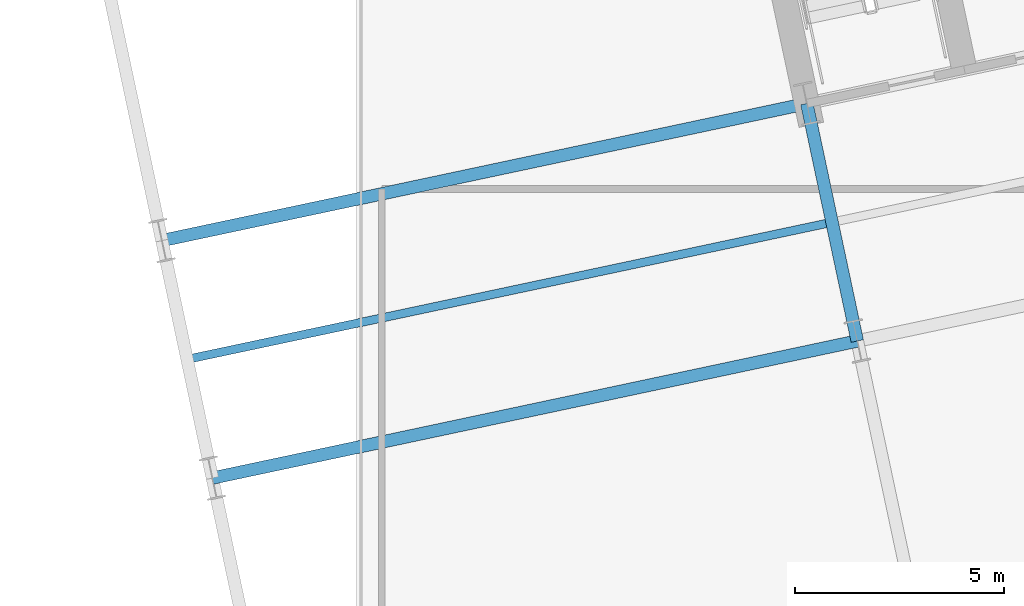
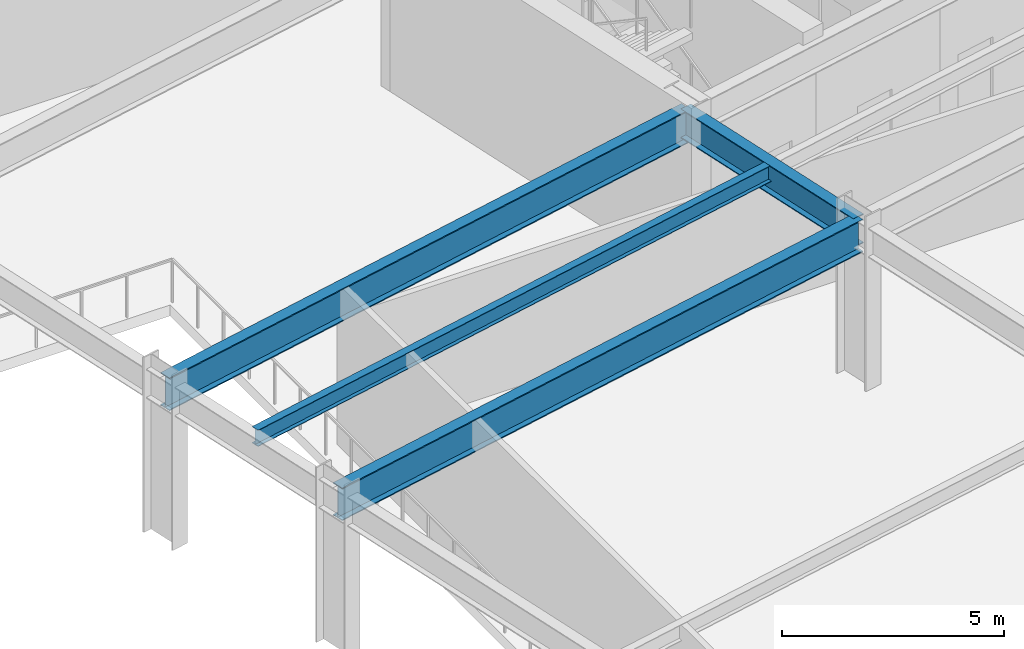
# One storey, part 15 of 35: 4 beams.
"""IFC4 building model written with IfcOpenShell, lengths in metres."""

from ifc_helpers import new_model, si_unit, direction, frame, origin, origin_2d, place, context, subcontext, project, spatial, i_section, extrude, material, material_profile, profile_set, type_object, element, save


model = new_model("IFC4")

# Units and contexts
model_context = context("Model", 3, precision=1e-05, world=origin(), true_north=direction((0.0, 1.0)))
body_context = subcontext(model_context, "Body", "Model", "MODEL_VIEW")
ifc_project = project(units=[si_unit("LENGTHUNIT", "METRE"), si_unit("AREAUNIT", "SQUARE_METRE"), si_unit("VOLUMEUNIT", "CUBIC_METRE"), si_unit("PLANEANGLEUNIT", "RADIAN"), si_unit("MASSUNIT", "GRAM", prefix="KILO")], contexts=[model_context])

# Site, building, storey
site_placement = place(None, origin())
site = spatial("IfcSite", under=ifc_project, at=site_placement, CompositionType="ELEMENT")
building_placement = place(site_placement, origin())
building = spatial("IfcBuilding", under=site, at=building_placement, Name="Haevon Station Towers", CompositionType="ELEMENT")
storey_placement = place(building_placement, frame((0.0, 0.0, 20.39990234375)))
storey = spatial("IfcBuildingStorey", under=building, at=storey_placement, Name="L04", CompositionType="ELEMENT", Elevation=20.39990234375)

# Beams
ifc_material = material(Name="Steel S355", Category="steel")
ifc_material_profile_1 = material_profile(ifc_material, i_section(OverallWidth=0.199951171875, OverallDepth=0.449951171875, WebThickness=0.009033203125, FlangeThickness=0.013916015625, at=origin_2d()), Name="H-450x200x9x14")
ifc_profile_set_1 = profile_set([ifc_material_profile_1], Name="Steel S355")
beam_type_1 = type_object("IfcBeamType", Name="BM-J450", PredefinedType="JOIST", material=ifc_profile_set_1)
beam_1_placement = place(storey_placement, frame((84.05712890625, 31.35400390625, 4.22509765625), z_axis=(0.978145944065, 0.207919484679, 0.0), x_axis=(-0.207919484679, 0.978145944065, 0.0)))
element("IfcBeam", 1, at=beam_1_placement, inside=storey, type_object=beam_type_1, Name="BM-T2J-L04-02-01", PredefinedType="JOIST", context=body_context, shape_type="SweptSolid", body=[
    extrude(i_section(OverallWidth=0.199951171875, OverallDepth=0.449951171875, WebThickness=0.009033203125, FlangeThickness=0.013916015625, at=origin_2d()), origin(), (0.0, 0.0, 1.0), 15.530029296875),
])
ifc_material_profile_2 = material_profile(ifc_material, i_section(OverallWidth=0.300048828125, OverallDepth=0.800048828125, WebThickness=0.013916015625, FlangeThickness=0.02587890625, at=origin_2d()), Name="H-800x300x14x26")
ifc_profile_set_2 = profile_set([ifc_material_profile_2], Name="Steel S355")
beam_type_2 = type_object("IfcBeamType", Name="BM-PG800", PredefinedType="BEAM", material=ifc_profile_set_2)
beam_2_placement = place(storey_placement, frame((99.958251953125, 31.76904296875, 4.050048828125), z_axis=(-0.207896009217, 0.97815093383, 0.0), x_axis=(-0.97815093383, -0.207896009217, 0.0)))
element("IfcBeam", 2, at=beam_2_placement, inside=storey, type_object=beam_type_2, Name="BM-T2V-L04-02-02", PredefinedType="BEAM", context=body_context, shape_type="SweptSolid", body=[
    extrude(i_section(OverallWidth=0.300048828125, OverallDepth=0.800048828125, WebThickness=0.013916015625, FlangeThickness=0.02587890625, at=origin_2d()), origin(), (0.0, 0.0, 1.0), 5.800048828125),
])
ifc_material_profile_3 = material_profile(ifc_material, i_section(OverallWidth=0.300048828125, OverallDepth=0.89990234375, WebThickness=0.01611328125, FlangeThickness=0.028076171875, at=origin_2d()), Name="H-900x300x16x28")
ifc_profile_set_3 = profile_set([ifc_material_profile_3], Name="Steel S355")
beam_type_3 = type_object("IfcBeamType", Name="BM-PG900", PredefinedType="BEAM", material=ifc_profile_set_3)
beam_3_placement = place(storey_placement, frame((84.552490234375, 28.49462890625, 4.0), z_axis=(0.978149946567, 0.207900654232, 0.0), x_axis=(-0.207900654232, 0.978149946567, 0.0)))
element("IfcBeam", 3, at=beam_3_placement, inside=storey, type_object=beam_type_3, Name="BM-T2U-L04-02-01", PredefinedType="BEAM", context=body_context, shape_type="SweptSolid", body=[
    extrude(i_section(OverallWidth=0.300048828125, OverallDepth=0.89990234375, WebThickness=0.01611328125, FlangeThickness=0.028076171875, at=origin_2d()), origin(), (0.0, 0.0, 1.0), 15.75),
])
beam_4_placement = place(storey_placement, frame((83.346435546875, 34.167724609375, 4.0), z_axis=(0.978147464271, 0.207912332825, 0.0), x_axis=(-0.207912332825, 0.978147464271, 0.0)))
element("IfcBeam", 4, at=beam_4_placement, inside=storey, type_object=beam_type_3, Name="BM-T2U-L04-03-01", PredefinedType="BEAM", context=body_context, shape_type="SweptSolid", body=[
    extrude(i_section(OverallWidth=0.300048828125, OverallDepth=0.89990234375, WebThickness=0.01611328125, FlangeThickness=0.028076171875, at=origin_2d()), origin(), (0.0, 0.0, 1.0), 15.750244140625),
])

save(model, "model.ifc")
